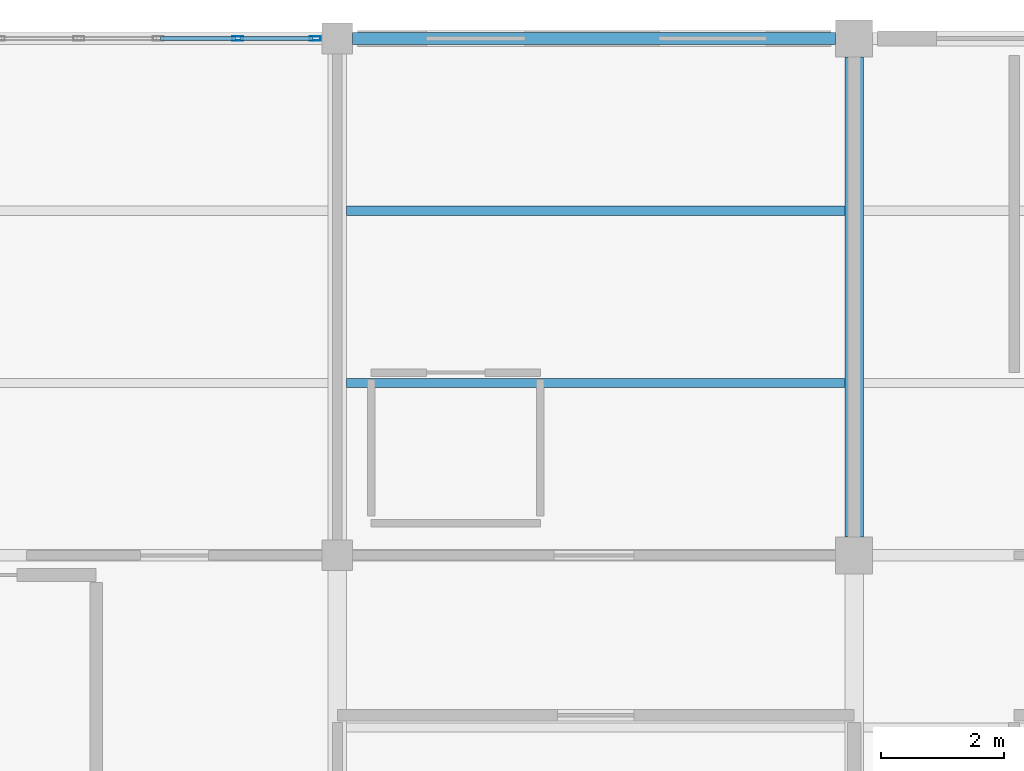
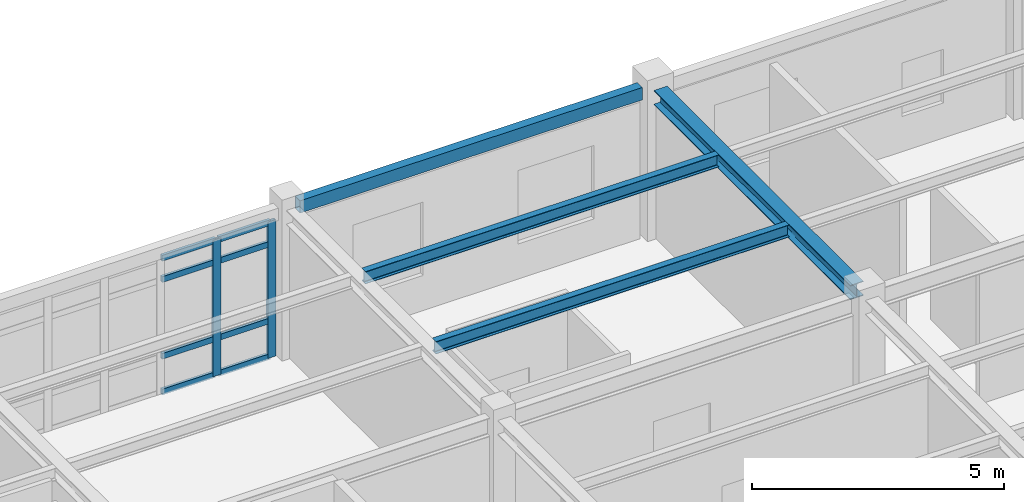
# One storey, part 15 of 86: 10 members, 4 beams, 1 element without a shape of its own.
"""IFC4 building model written with IfcOpenShell, lengths in metres."""

from ifc_helpers import new_model, si_unit, direction, frame, origin, origin_2d, place, context, subcontext, project, spatial, hollow_rectangle, i_section, extrude, material, layer, layer_set, material_profile, profile_set, type_object, element, aggregate, save


model = new_model("IFC4")

# Units and contexts
model_context = context("Model", 3, precision=1e-05, world=origin(), true_north=direction((0.0, 1.0)))
body_context = subcontext(model_context, "Body", "Model", "MODEL_VIEW")
ifc_project = project(units=[si_unit("LENGTHUNIT", "METRE"), si_unit("AREAUNIT", "SQUARE_METRE"), si_unit("VOLUMEUNIT", "CUBIC_METRE"), si_unit("PLANEANGLEUNIT", "RADIAN"), si_unit("MASSUNIT", "GRAM", prefix="KILO")], contexts=[model_context])

# Site, building, storey
site_placement = place(None, origin())
site = spatial("IfcSite", under=ifc_project, at=site_placement, CompositionType="ELEMENT")
building_placement = place(site_placement, origin())
building = spatial("IfcBuilding", under=site, at=building_placement, Name="Bramfleet General Hospital", CompositionType="ELEMENT")
storey_placement = place(building_placement, frame((0.0, 0.0, 18.60009765625)))
storey = spatial("IfcBuildingStorey", under=building, at=storey_placement, Name="L04", CompositionType="ELEMENT", Elevation=18.60009765625)

# Beams
ifc_material_1 = material(Name="Steel S355", Category="steel")
ifc_material_profile_1 = material_profile(ifc_material_1, i_section(OverallWidth=0.300048828125, OverallDepth=0.35009765625, WebThickness=0.010009765625, FlangeThickness=0.017578125, FilletRadius=0.027099609375, at=origin_2d()), Name="HEA 360")
ifc_profile_set_1 = profile_set([ifc_material_profile_1], Name="Steel S355")
beam_type_1 = type_object("IfcBeamType", Name="BM-HEA360", PredefinedType="BEAM", material=ifc_profile_set_1)
beam_1_placement = place(storey_placement, frame((67.199951171875, 109.5, 3.44482421875), z_axis=(0.0, 1.0, 0.0), x_axis=(-1.0, 0.0, 0.0)))
element("IfcBeam", 1, at=beam_1_placement, inside=storey, type_object=beam_type_1, Name="L04 Grid Beam Y 08-13", PredefinedType="BEAM", context=body_context, shape_type="SweptSolid", body=[
    extrude(i_section(OverallWidth=0.300048828125, OverallDepth=0.35009765625, WebThickness=0.010009765625, FlangeThickness=0.017578125, FilletRadius=0.027099609375, at=origin_2d()), origin(), (0.0, 0.0, 1.0), 7.800048828125),
])
ifc_material_profile_2 = material_profile(ifc_material_1, i_section(OverallWidth=0.14990234375, OverallDepth=0.300048828125, WebThickness=0.007080078125, FlangeThickness=0.0107421875, FilletRadius=0.014892578125, at=origin_2d()), Name="IPE 300")
ifc_profile_set_2 = profile_set([ifc_material_profile_2], Name="Steel S355")
beam_type_2 = type_object("IfcBeamType", Name="BM-IPE300", PredefinedType="JOIST", material=ifc_profile_set_2)
for number, where, z_axis, x_axis, name in (
    (2, (58.949951171875, 112.0, 3.469970703125), (1.0, 0.0, 0.0), (0.0, 1.0, 0.0), "L04 Secondary Joist 07-13-1"),
    (3, (58.949951171875, 114.800048828125, 3.469970703125), (1.0, 0.0, 0.0), (0.0, 1.0, 0.0), "L04 Secondary Joist 07-13-2"),
):
    element("IfcBeam", number, at=place(storey_placement, frame(where, z_axis=z_axis, x_axis=x_axis)), inside=storey, type_object=beam_type_2, Name=name, PredefinedType="JOIST", context=body_context, shape_type="SweptSolid", body=[
        extrude(i_section(OverallWidth=0.14990234375, OverallDepth=0.300048828125, WebThickness=0.007080078125, FlangeThickness=0.0107421875, FilletRadius=0.014892578125, at=origin_2d()), origin(), (0.0, 0.0, 1.0), 8.10009765625),
    ])
ifc_material_profile_3 = material_profile(ifc_material_1, hollow_rectangle(XDim=0.199951171875, YDim=0.300048828125, WallThickness=0.012451171875, at=origin_2d()), Name="RHS 300x200x12.5")
ifc_profile_set_3 = profile_set([ifc_material_profile_3], Name="Steel S355")
beam_type_3 = type_object("IfcBeamType", Name="BM-RHS300", PredefinedType="SPANDREL", material=ifc_profile_set_3)
beam_2_placement = place(storey_placement, frame((59.050048828125, 117.60009765625, 3.469970703125), z_axis=(1.0, 0.0, 0.0), x_axis=(0.0, 1.0, 0.0)))
element("IfcBeam", 4, at=beam_2_placement, inside=storey, type_object=beam_type_3, Name="L04 Grid Beam X 07-14", PredefinedType="SPANDREL", context=body_context, shape_type="SweptSolid", body=[
    extrude(hollow_rectangle(XDim=0.199951171875, YDim=0.300048828125, WallThickness=0.012451171875, at=origin_2d()), origin(), (0.0, 0.0, 1.0), 7.849853515625),
])

# Curtain wall, members
ifc_material_2 = material(Name="Anodised aluminium and low-E triple glazing", Category="aluminium")
ifc_layer = layer(ifc_material_2, 0.179931640625, Name="CWT-CW-07")
ifc_layer_set = layer_set([ifc_layer], Name="Anodised aluminium and low-E triple glazing")
curtain_wall_type = type_object("IfcCurtainWallType", Name="CWT-CW-07", PredefinedType="USERDEFINED", material=ifc_layer_set)
curtain_wall_placement = place(storey_placement, origin())
curtain_wall = element("IfcCurtainWall", 5, at=curtain_wall_placement, inside=storey, type_object=curtain_wall_type, Name="L04 Curtain Wall 187", ObjectType="Unitised curtain wall", PredefinedType="USERDEFINED")
ifc_material_3 = material(Name="Anodised aluminium EN AW-6060", Category="aluminium")
ifc_material_profile_4 = material_profile(ifc_material_3, hollow_rectangle(XDim=0.070068359375, YDim=0.179931640625, WallThickness=0.00390625, at=origin_2d()), Name="ALU 180x70x4.0")
ifc_profile_set_4 = profile_set([ifc_material_profile_4], Name="Anodised aluminium EN AW-6060")
member_type_1 = type_object("IfcMemberType", Name="CWM-ALU180", PredefinedType="MULLION", material=ifc_profile_set_4)
member_1_placement = place(storey_placement, frame((57.183349609375, 117.60009765625, 0.0), z_axis=(0.0, 0.0, 1.0), x_axis=(0.0, 1.0, 0.0)))
member_1 = element("IfcMember", 6, at=member_1_placement, type_object=member_type_1, Name="CW-07 mullion 6", PredefinedType="MULLION", context=body_context, shape_type="SweptSolid", body=[
    extrude(hollow_rectangle(XDim=0.070068359375, YDim=0.179931640625, WallThickness=0.00390625, at=origin_2d()), origin(), (0.0, 0.0, 1.0), 3.309814453125),
])
member_2_placement = place(storey_placement, frame((58.43994140625, 117.60009765625, 0.0), z_axis=(0.0, 0.0, 1.0), x_axis=(0.0, 1.0, 0.0)))
member_2 = element("IfcMember", 7, at=member_2_placement, type_object=member_type_1, Name="CW-07 mullion 7", PredefinedType="MULLION", context=body_context, shape_type="SweptSolid", body=[
    extrude(hollow_rectangle(XDim=0.070068359375, YDim=0.179931640625, WallThickness=0.00390625, at=origin_2d()), origin(), (0.0, 0.0, 1.0), 3.309814453125),
])
ifc_material_profile_5 = material_profile(ifc_material_3, hollow_rectangle(XDim=0.06494140625, YDim=0.139892578125, WallThickness=0.00390625, at=origin_2d()), Name="ALU 140x65x4.0")
ifc_profile_set_5 = profile_set([ifc_material_profile_5], Name="Anodised aluminium EN AW-6060")
member_type_2 = type_object("IfcMemberType", Name="CWT-ALU140", PredefinedType="USERDEFINED", material=ifc_profile_set_5)
member_3_placement = place(storey_placement, frame((55.9267578125, 117.60009765625, 0.032470703125), z_axis=(1.0, 0.0, 0.0), x_axis=(0.0, 1.0, 0.0)))
member_3 = element("IfcMember", 8, at=member_3_placement, type_object=member_type_2, Name="CW-07 transom 5.1", ObjectType="TRANSOM", PredefinedType="USERDEFINED", context=body_context, shape_type="SweptSolid", body=[
    extrude(hollow_rectangle(XDim=0.06494140625, YDim=0.139892578125, WallThickness=0.00390625, at=origin_2d()), origin(), (0.0, 0.0, 1.0), 1.2216796875),
])
member_4_placement = place(storey_placement, frame((55.9267578125, 117.60009765625, 0.89990234375), z_axis=(1.0, 0.0, 0.0), x_axis=(0.0, 1.0, 0.0)))
member_4 = element("IfcMember", 9, at=member_4_placement, type_object=member_type_2, Name="CW-07 transom 5.2", ObjectType="TRANSOM", PredefinedType="USERDEFINED", context=body_context, shape_type="SweptSolid", body=[
    extrude(hollow_rectangle(XDim=0.06494140625, YDim=0.139892578125, WallThickness=0.00390625, at=origin_2d()), origin(), (0.0, 0.0, 1.0), 1.2216796875),
])
member_5_placement = place(storey_placement, frame((55.9267578125, 117.60009765625, 2.760009765625), z_axis=(1.0, 0.0, 0.0), x_axis=(0.0, 1.0, 0.0)))
member_5 = element("IfcMember", 10, at=member_5_placement, type_object=member_type_2, Name="CW-07 transom 5.3", ObjectType="TRANSOM", PredefinedType="USERDEFINED", context=body_context, shape_type="SweptSolid", body=[
    extrude(hollow_rectangle(XDim=0.06494140625, YDim=0.139892578125, WallThickness=0.00390625, at=origin_2d()), origin(), (0.0, 0.0, 1.0), 1.2216796875),
])
member_6_placement = place(storey_placement, frame((55.9267578125, 117.60009765625, 3.27734375), z_axis=(1.0, 0.0, 0.0), x_axis=(0.0, 1.0, 0.0)))
member_6 = element("IfcMember", 11, at=member_6_placement, type_object=member_type_2, Name="CW-07 transom 5.4", ObjectType="TRANSOM", PredefinedType="USERDEFINED", context=body_context, shape_type="SweptSolid", body=[
    extrude(hollow_rectangle(XDim=0.06494140625, YDim=0.139892578125, WallThickness=0.00390625, at=origin_2d()), origin(), (0.0, 0.0, 1.0), 1.2216796875),
])
member_7_placement = place(storey_placement, frame((57.21826171875, 117.60009765625, 0.032470703125), z_axis=(1.0, 0.0, 0.0), x_axis=(0.0, 1.0, 0.0)))
member_7 = element("IfcMember", 12, at=member_7_placement, type_object=member_type_2, Name="CW-07 transom 6.1", ObjectType="TRANSOM", PredefinedType="USERDEFINED", context=body_context, shape_type="SweptSolid", body=[
    extrude(hollow_rectangle(XDim=0.06494140625, YDim=0.139892578125, WallThickness=0.00390625, at=origin_2d()), origin(), (0.0, 0.0, 1.0), 1.186767578125),
])
member_8_placement = place(storey_placement, frame((57.21826171875, 117.60009765625, 0.89990234375), z_axis=(1.0, 0.0, 0.0), x_axis=(0.0, 1.0, 0.0)))
member_8 = element("IfcMember", 13, at=member_8_placement, type_object=member_type_2, Name="CW-07 transom 6.2", ObjectType="TRANSOM", PredefinedType="USERDEFINED", context=body_context, shape_type="SweptSolid", body=[
    extrude(hollow_rectangle(XDim=0.06494140625, YDim=0.139892578125, WallThickness=0.00390625, at=origin_2d()), origin(), (0.0, 0.0, 1.0), 1.186767578125),
])
member_9_placement = place(storey_placement, frame((57.21826171875, 117.60009765625, 2.760009765625), z_axis=(1.0, 0.0, 0.0), x_axis=(0.0, 1.0, 0.0)))
member_9 = element("IfcMember", 14, at=member_9_placement, type_object=member_type_2, Name="CW-07 transom 6.3", ObjectType="TRANSOM", PredefinedType="USERDEFINED", context=body_context, shape_type="SweptSolid", body=[
    extrude(hollow_rectangle(XDim=0.06494140625, YDim=0.139892578125, WallThickness=0.00390625, at=origin_2d()), origin(), (0.0, 0.0, 1.0), 1.186767578125),
])
member_10_placement = place(storey_placement, frame((57.21826171875, 117.60009765625, 3.27734375), z_axis=(1.0, 0.0, 0.0), x_axis=(0.0, 1.0, 0.0)))
member_10 = element("IfcMember", 15, at=member_10_placement, type_object=member_type_2, Name="CW-07 transom 6.4", ObjectType="TRANSOM", PredefinedType="USERDEFINED", context=body_context, shape_type="SweptSolid", body=[
    extrude(hollow_rectangle(XDim=0.06494140625, YDim=0.139892578125, WallThickness=0.00390625, at=origin_2d()), origin(), (0.0, 0.0, 1.0), 1.186767578125),
])
aggregate(curtain_wall, [member_1, member_2, member_3, member_4, member_5, member_6, member_7, member_8, member_9, member_10])

save(model, "model.ifc")
